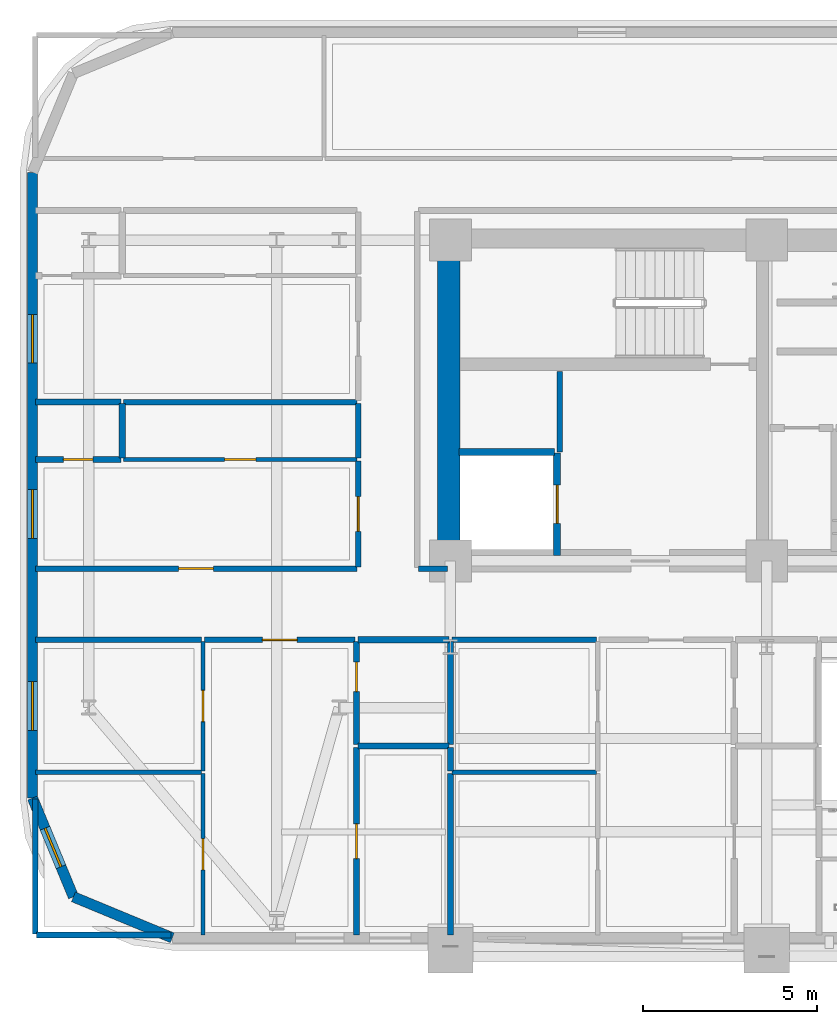
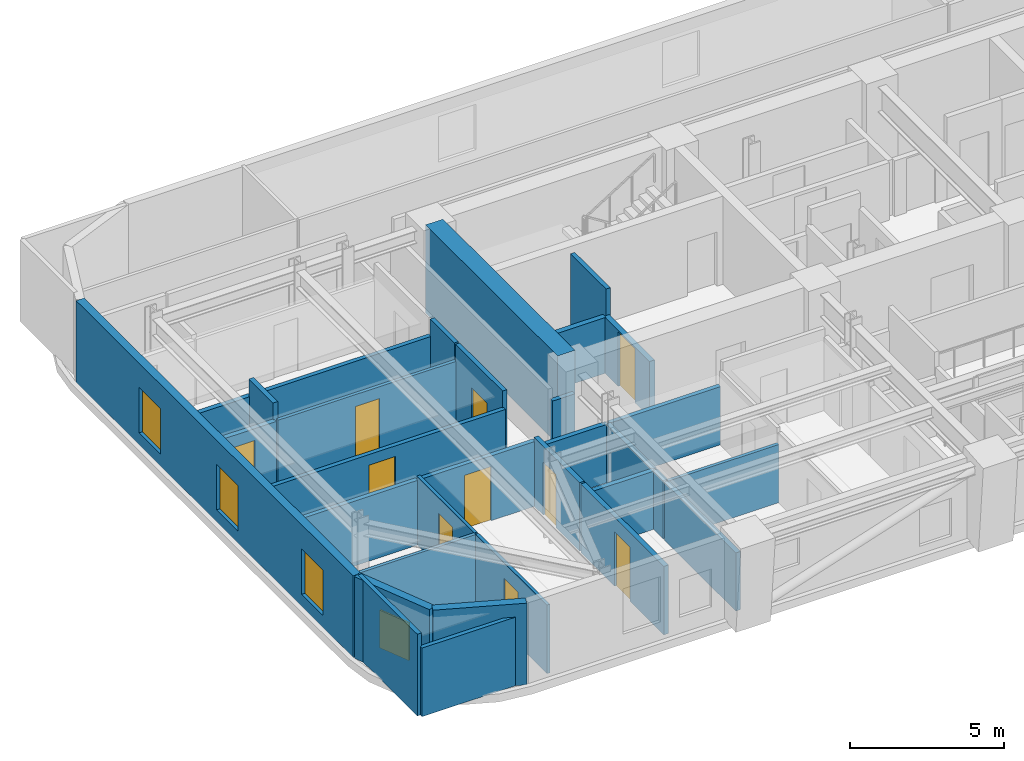
# One storey, part 8 of 16: 32 walls, 10 doors, 4 windows, 14 openings.
"""IFC4 building model written with IfcOpenShell, lengths in metres."""

from ifc_helpers import new_model, si_unit, direction, frame, frame_2d, origin, place, context, subcontext, project, spatial, rectangle, extrude, material, layer, layer_set, type_object, element, fill, save


model = new_model("IFC4")

# Units and contexts
model_context = context("Model", 3, precision=1e-05, world=origin(), true_north=direction((0.0, 1.0)))
body_context = subcontext(model_context, "Body", "Model", "MODEL_VIEW")
ifc_project = project(units=[si_unit("LENGTHUNIT", "METRE"), si_unit("AREAUNIT", "SQUARE_METRE"), si_unit("VOLUMEUNIT", "CUBIC_METRE"), si_unit("PLANEANGLEUNIT", "RADIAN"), si_unit("MASSUNIT", "GRAM", prefix="KILO")], contexts=[model_context])

# Site, building, storey
site_placement = place(None, origin())
site = spatial("IfcSite", under=ifc_project, at=site_placement, CompositionType="ELEMENT")
building_placement = place(site_placement, origin())
building = spatial("IfcBuilding", under=site, at=building_placement, Name="Zarnavel Station Tower", CompositionType="ELEMENT")
storey_placement = place(building_placement, frame((0.0, 0.0, 104.800048828125)))
storey = spatial("IfcBuildingStorey", under=building, at=storey_placement, Name="L28", CompositionType="ELEMENT", Elevation=104.800048828125)

# Wall
ifc_material_1 = material(Name="Concrete C60/75", Category="concrete")
ifc_layer_1 = layer(ifc_material_1, 0.64990234375)
ifc_layer_set_1 = layer_set([ifc_layer_1], Name="CW_650")
wall_type_1 = type_object("IfcWallType", Name="CW_650", PredefinedType="SHEAR", material=ifc_layer_set_1)
wall_1_placement = place(storey_placement, frame((12.14990234375, 28.14501953125, 0.0), z_axis=(0.0, 0.0, 1.0), x_axis=(0.0, 1.0, 0.0)))
element("IfcWall", 1, at=wall_1_placement, inside=storey, type_object=wall_type_1, Name="L28 Rear Core Shear Wall W", PredefinedType="SHEAR", context=body_context, shape_type="SweptSolid", body=[
    extrude(rectangle(XDim=8.580078125, YDim=0.64990234375, at=frame_2d((4.2900390625, 0.0))), origin(), (0.0, 0.0, 1.0), 3.5),
])

# Wall, openings, windows
ifc_material_2 = material(Name="Precast concrete C45/55 (Dark Basalt Finish)", Category="masonry")
ifc_layer_2 = layer(ifc_material_2, 0.300048828125)
ifc_layer_set_2 = layer_set([ifc_layer_2], Name="EW_BASALT_300")
wall_type_2 = type_object("IfcWallType", Name="EW_BASALT_300", PredefinedType="SOLIDWALL", material=ifc_layer_set_2)
wall_2_placement = place(storey_placement, frame((0.179931640625, 21.0, 0.0), z_axis=(0.0, 0.0, 1.0), x_axis=(0.0, 1.0, 0.0)))
wall_2 = element("IfcWall", 2, at=wall_2_placement, inside=storey, type_object=wall_type_2, Name="L28 Exterior Basalt Masonry Frame Wall 09", PredefinedType="SOLIDWALL", context=body_context, shape_type="SweptSolid", body=[
    extrude(rectangle(XDim=18.0, YDim=0.300048828125, at=frame_2d((9.0, 0.0))), origin(), (0.0, 0.0, 1.0), 3.239990234375),
])
opening_1_placement = place(wall_2_placement, frame((7.470458984375, 0.0, 0.47998046875)))
opening_1 = element("IfcOpeningElement", 3, at=opening_1_placement, cuts=wall_2, Name="Opening WN01", PredefinedType="OPENING", context=body_context, shape_type="SweptSolid", body=[
    extrude(rectangle(XDim=1.39990234375, YDim=1.800048828125, at=frame_2d((0.699951171875, 0.89990234375))), frame((0.0, 0.159912109375, 0.0), z_axis=(0.0, -1.0, 0.0), x_axis=(1.0, 0.0, 0.0)), (0.0, 0.0, 1.0), 0.320068359375),
])
opening_2_placement = place(wall_2_placement, frame((12.509033203125, 0.0, 0.47998046875)))
opening_2 = element("IfcOpeningElement", 4, at=opening_2_placement, cuts=wall_2, Name="Opening WN01", PredefinedType="OPENING", context=body_context, shape_type="SweptSolid", body=[
    extrude(rectangle(XDim=1.39990234375, YDim=1.800048828125, at=frame_2d((0.699951171875, 0.89990234375))), frame((0.0, 0.159912109375, 0.0), z_axis=(0.0, -1.0, 0.0), x_axis=(1.0, 0.0, 0.0)), (0.0, 0.0, 1.0), 0.320068359375),
])
opening_3_placement = place(wall_2_placement, frame((1.945556640625, 0.0, 0.47998046875)))
opening_3 = element("IfcOpeningElement", 5, at=opening_3_placement, cuts=wall_2, Name="Opening WN01", PredefinedType="OPENING", context=body_context, shape_type="SweptSolid", body=[
    extrude(rectangle(XDim=1.39990234375, YDim=1.800048828125, at=frame_2d((0.699951171875, 0.89990234375))), frame((0.0, 0.159912109375, 0.0), z_axis=(0.0, -1.0, 0.0), x_axis=(1.0, 0.0, 0.0)), (0.0, 0.0, 1.0), 0.320068359375),
])
ifc_material_3 = material(Name="Thermally Broken Black Aluminium and Low-E Dark Glass", Category="aluminium")
window_type_1 = type_object("IfcWindowType", Name="WN_1400x1800", PartitioningType="DOUBLE_PANEL_VERTICAL", PredefinedType="WINDOW", material=ifc_material_3)
window_1_placement = place(opening_1_placement, origin())
window_1 = element("IfcWindow", 6, at=window_1_placement, inside=storey, type_object=window_type_1, Name="L28 Recessed Facade Window 01", OverallHeight=1.800048828125, OverallWidth=1.39990234375, PartitioningType="SINGLE_PANEL", PredefinedType="WINDOW", context=body_context, shape_type="SweptSolid", body=[
    extrude(rectangle(XDim=1.39990234375, YDim=1.800048828125, at=frame_2d((0.699951171875, 0.89990234375))), frame((0.0, 0.030029296875, 0.0), z_axis=(0.0, -1.0, 0.0), x_axis=(1.0, 0.0, 0.0)), (0.0, 0.0, 1.0), 0.06005859375),
])
fill(opening_1, window_1)
window_2_placement = place(opening_2_placement, origin())
window_2 = element("IfcWindow", 7, at=window_2_placement, inside=storey, type_object=window_type_1, Name="L28 Recessed Facade Window 02", OverallHeight=1.800048828125, OverallWidth=1.39990234375, PartitioningType="SINGLE_PANEL", PredefinedType="WINDOW", context=body_context, shape_type="SweptSolid", body=[
    extrude(rectangle(XDim=1.39990234375, YDim=1.800048828125, at=frame_2d((0.699951171875, 0.89990234375))), frame((0.0, 0.030029296875, 0.0), z_axis=(0.0, -1.0, 0.0), x_axis=(1.0, 0.0, 0.0)), (0.0, 0.0, 1.0), 0.06005859375),
])
fill(opening_2, window_2)
window_3_placement = place(opening_3_placement, origin())
window_3 = element("IfcWindow", 8, at=window_3_placement, inside=storey, type_object=window_type_1, Name="L28 Recessed Facade Window 03", OverallHeight=1.800048828125, OverallWidth=1.39990234375, PartitioningType="SINGLE_PANEL", PredefinedType="WINDOW", context=body_context, shape_type="SweptSolid", body=[
    extrude(rectangle(XDim=1.39990234375, YDim=1.800048828125, at=frame_2d((0.699951171875, 0.89990234375))), frame((0.0, 0.030029296875, 0.0), z_axis=(0.0, -1.0, 0.0), x_axis=(1.0, 0.0, 0.0)), (0.0, 0.0, 1.0), 0.06005859375),
])
fill(opening_3, window_3)

# Wall, opening, window
wall_3_placement = place(storey_placement, frame((1.357421875, 18.157470703125, 0.0), z_axis=(0.0, 0.0, 1.0), x_axis=(-0.382704529509, 0.923870793506, 0.0)))
wall_3 = element("IfcWall", 9, at=wall_3_placement, inside=storey, type_object=wall_type_2, Name="L28 Exterior Basalt Masonry Frame Wall 10", PredefinedType="SOLIDWALL", context=body_context, shape_type="SweptSolid", body=[
    extrude(rectangle(XDim=3.07666015625, YDim=0.300048828125, at=frame_2d((1.538330078125, 0.0))), origin(), (0.0, 0.0, 1.0), 3.239990234375),
])
opening_4_placement = place(wall_3_placement, frame((0.9384765625, 0.0, 0.75)))
opening_4 = element("IfcOpeningElement", 10, at=opening_4_placement, cuts=wall_3, Name="Opening WN08", PredefinedType="OPENING", context=body_context, shape_type="SweptSolid", body=[
    extrude(rectangle(XDim=1.199951171875, YDim=1.5, at=frame_2d((0.60009765625, 0.75))), frame((0.0, 0.159912109375, 0.0), z_axis=(0.0, -1.0, 0.0), x_axis=(1.0, 0.0, 0.0)), (0.0, 0.0, 1.0), 0.320068359375),
])
ifc_material_4 = material(Name="Thermally Broken Black Aluminium and Low-E Dark Glass", Category="aluminium")
window_type_2 = type_object("IfcWindowType", Name="WN_1200x1500", PartitioningType="SINGLE_PANEL", PredefinedType="WINDOW", material=ifc_material_4)
window_4_placement = place(opening_4_placement, origin())
window_4 = element("IfcWindow", 11, at=window_4_placement, inside=storey, type_object=window_type_2, Name="L28 Recessed Facade Window 01", OverallHeight=1.5, OverallWidth=1.199951171875, PartitioningType="SINGLE_PANEL", PredefinedType="WINDOW", context=body_context, shape_type="SweptSolid", body=[
    extrude(rectangle(XDim=1.199951171875, YDim=1.5, at=frame_2d((0.60009765625, 0.75))), frame((0.0, 0.030029296875, 0.0), z_axis=(0.0, -1.0, 0.0), x_axis=(1.0, 0.0, 0.0)), (0.0, 0.0, 1.0), 0.06005859375),
])
fill(opening_4, window_4)

# Wall
wall_4_placement = place(storey_placement, frame((4.199951171875, 16.97998046875, 0.0), z_axis=(0.0, 0.0, 1.0), x_axis=(-0.923870793506, 0.382704529509, 0.0)))
element("IfcWall", 12, at=wall_4_placement, inside=storey, type_object=wall_type_2, Name="L28 Exterior Basalt Masonry Frame Wall 11", PredefinedType="SOLIDWALL", context=body_context, shape_type="SweptSolid", body=[
    extrude(rectangle(XDim=3.07666015625, YDim=0.300048828125, at=frame_2d((1.538330078125, 0.0))), origin(), (0.0, 0.0, 1.0), 3.239990234375),
])

# Wall, opening, door
ifc_material_5 = material(Name="Gypsum Twin-Stud Acoustic Fire Partition", Category="concrete")
ifc_layer_3 = layer(ifc_material_5, 0.159912109375)
ifc_layer_set_3 = layer_set([ifc_layer_3], Name="PT_DEMISE_160")
wall_type_3 = type_object("IfcWallType", Name="PT_DEMISE_160", PredefinedType="PARTITIONING", material=ifc_layer_set_3)
wall_5_placement = place(storey_placement, frame((0.260009765625, 27.60009765625, 0.0), z_axis=(0.0, 0.0, 1.0), x_axis=(1.0, 0.0, 0.0)))
wall_5 = element("IfcWall", 13, at=wall_5_placement, inside=storey, type_object=wall_type_3, Name="L28 Partition COR-S-FNW1R", PredefinedType="PARTITIONING", context=body_context, shape_type="SweptSolid", body=[
    extrude(rectangle(XDim=9.25, YDim=0.159912109375, at=frame_2d((4.625, 0.0))), origin(), (0.0, 0.0, 1.0), 2.570068359375),
])
opening_5_placement = place(wall_5_placement, frame((4.125, 0.0, 0.0)))
opening_5 = element("IfcOpeningElement", 14, at=opening_5_placement, cuts=wall_5, Name="Opening FD02", PredefinedType="OPENING", context=body_context, shape_type="SweptSolid", body=[
    extrude(rectangle(XDim=1.0, YDim=2.14990234375, at=frame_2d((0.5, 1.074951171875))), frame((0.0, 0.08984375, 0.0), z_axis=(0.0, -1.0, 0.0), x_axis=(1.0, 0.0, 0.0)), (0.0, 0.0, 1.0), 0.179931640625),
])
ifc_material_6 = material(Name="Painted Galvanised Steel and Hardwood Leaf", Category="steel")
door_type_1 = type_object("IfcDoorType", Name="ID_ENTRY_1000", OperationType="NOTDEFINED", PredefinedType="DOOR", material=ifc_material_6)
door_1_placement = place(opening_5_placement, origin())
door_1 = element("IfcDoor", 15, at=door_1_placement, inside=storey, type_object=door_type_1, Name="L28 Door COR-S-FNW1R", OperationType="SINGLE_SWING_LEFT", OverallHeight=2.14990234375, OverallWidth=1.0, PredefinedType="DOOR", context=body_context, shape_type="SweptSolid", body=[
    extrude(rectangle(XDim=1.0, YDim=2.14990234375, at=frame_2d((0.5, 1.074951171875))), frame((0.0, 0.02490234375, 0.0), z_axis=(0.0, -1.0, 0.0), x_axis=(1.0, 0.0, 0.0)), (0.0, 0.0, 1.0), 0.050048828125),
])
fill(opening_5, door_1)

wall_6_placement = place(storey_placement, frame((5.1220703125, 25.550048828125, 0.0), z_axis=(0.0, 0.0, 1.0), x_axis=(1.0, 0.0, 0.0)))
wall_6 = element("IfcWall", 16, at=wall_6_placement, inside=storey, type_object=wall_type_3, Name="L28 Partition COR-S-UW1ALV", PredefinedType="PARTITIONING", context=body_context, shape_type="SweptSolid", body=[
    extrude(rectangle(XDim=4.337890625, YDim=0.159912109375, at=frame_2d((2.1689453125, 0.0))), origin(), (0.0, 0.0, 1.0), 2.570068359375),
])
opening_6_placement = place(wall_6_placement, frame((1.6689453125, 0.0, 0.0)))
opening_6 = element("IfcOpeningElement", 17, at=opening_6_placement, cuts=wall_6, Name="Opening FD02", PredefinedType="OPENING", context=body_context, shape_type="SweptSolid", body=[
    extrude(rectangle(XDim=1.0, YDim=2.14990234375, at=frame_2d((0.5, 1.074951171875))), frame((0.0, 0.08984375, 0.0), z_axis=(0.0, -1.0, 0.0), x_axis=(1.0, 0.0, 0.0)), (0.0, 0.0, 1.0), 0.179931640625),
])
door_2_placement = place(opening_6_placement, origin())
door_2 = element("IfcDoor", 18, at=door_2_placement, inside=storey, type_object=door_type_1, Name="L28 Door COR-S-UW1ALV", OperationType="SINGLE_SWING_LEFT", OverallHeight=2.14990234375, OverallWidth=1.0, PredefinedType="DOOR", context=body_context, shape_type="SweptSolid", body=[
    extrude(rectangle(XDim=1.0, YDim=2.14990234375, at=frame_2d((0.5, 1.074951171875))), frame((0.0, 0.02490234375, 0.0), z_axis=(0.0, -1.0, 0.0), x_axis=(1.0, 0.0, 0.0)), (0.0, 0.0, 1.0), 0.050048828125),
])
fill(opening_6, door_2)

# Walls
wall_7_placement = place(storey_placement, frame((0.260009765625, 25.550048828125, 0.0), z_axis=(0.0, 0.0, 1.0), x_axis=(1.0, 0.0, 0.0)))
element("IfcWall", 19, at=wall_7_placement, inside=storey, type_object=wall_type_3, Name="L28 Partition COR-S-UW1AB2", PredefinedType="PARTITIONING", context=body_context, shape_type="SweptSolid", body=[
    extrude(rectangle(XDim=4.781982421875, YDim=0.159912109375, at=frame_2d((2.39111328125, 0.0))), origin(), (0.0, 0.0, 1.0), 2.570068359375),
])
wall_8_placement = place(storey_placement, frame((12.239990234375, 25.550048828125, 0.0), z_axis=(0.0, 0.0, 1.0), x_axis=(1.0, 0.0, 0.0)))
element("IfcWall", 20, at=wall_8_placement, inside=storey, type_object=wall_type_3, Name="L28 Partition COR-S-UW1BB2", PredefinedType="PARTITIONING", context=body_context, shape_type="SweptSolid", body=[
    extrude(rectangle(XDim=4.159912109375, YDim=0.159912109375, at=frame_2d((2.080078125, 0.0))), origin(), (0.0, 0.0, 1.0), 2.31005859375),
])

# Wall, opening, door
wall_9_placement = place(storey_placement, frame((9.550048828125, 27.639892578125, 0.0), z_axis=(0.0, 0.0, 1.0), x_axis=(0.0, 1.0, 0.0)))
wall_9 = element("IfcWall", 21, at=wall_9_placement, inside=storey, type_object=wall_type_3, Name="L28 Partition COR-W-FNW1R", PredefinedType="PARTITIONING", context=body_context, shape_type="SweptSolid", body=[
    extrude(rectangle(XDim=3.06103515625, YDim=0.159912109375, at=frame_2d((1.530517578125, 0.0))), origin(), (0.0, 0.0, 1.0), 3.239990234375),
])
opening_7_placement = place(wall_9_placement, frame((1.030517578125, 0.0, 0.0)))
opening_7 = element("IfcOpeningElement", 22, at=opening_7_placement, cuts=wall_9, Name="Opening FD02", PredefinedType="OPENING", context=body_context, shape_type="SweptSolid", body=[
    extrude(rectangle(XDim=1.0, YDim=2.14990234375, at=frame_2d((0.5, 1.074951171875))), frame((0.0, 0.08984375, 0.0), z_axis=(0.0, -1.0, 0.0), x_axis=(1.0, 0.0, 0.0)), (0.0, 0.0, 1.0), 0.179931640625),
])
door_3_placement = place(opening_7_placement, origin())
door_3 = element("IfcDoor", 23, at=door_3_placement, inside=storey, type_object=door_type_1, Name="L28 Door COR-W-FNW1R", OperationType="SINGLE_SWING_LEFT", OverallHeight=2.14990234375, OverallWidth=1.0, PredefinedType="DOOR", context=body_context, shape_type="SweptSolid", body=[
    extrude(rectangle(XDim=1.0, YDim=2.14990234375, at=frame_2d((0.5, 1.074951171875))), frame((0.0, 0.02490234375, 0.0), z_axis=(0.0, -1.0, 0.0), x_axis=(1.0, 0.0, 0.0)), (0.0, 0.0, 1.0), 0.050048828125),
])
fill(opening_7, door_3)

# Walls
wall_10_placement = place(storey_placement, frame((9.550048828125, 30.781005859375, 0.0), z_axis=(0.0, 0.0, 1.0), x_axis=(0.0, 1.0, 0.0)))
element("IfcWall", 24, at=wall_10_placement, inside=storey, type_object=wall_type_3, Name="L28 Partition COR-W-FNW1S", PredefinedType="PARTITIONING", context=body_context, shape_type="SweptSolid", body=[
    extrude(rectangle(XDim=1.570068359375, YDim=0.159912109375, at=frame_2d((0.78515625, 0.0))), origin(), (0.0, 0.0, 1.0), 3.239990234375),
])
wall_11_placement = place(storey_placement, frame((2.800048828125, 32.39111328125, 0.0), z_axis=(0.0, 0.0, 1.0), x_axis=(1.0, 0.0, 0.0)))
element("IfcWall", 25, at=wall_11_placement, inside=storey, type_object=wall_type_3, Name="L28 Partition FNW1S-FNW2R", PredefinedType="PARTITIONING", context=body_context, shape_type="SweptSolid", body=[
    extrude(rectangle(XDim=6.7099609375, YDim=0.159912109375, at=frame_2d((3.35498046875, 0.0))), origin(), (0.0, 0.0, 1.0), 2.570068359375),
])
wall_12_placement = place(storey_placement, frame((15.35009765625, 30.9599609375, 0.0), z_axis=(0.0, 0.0, 1.0), x_axis=(0.0, 1.0, 0.0)))
element("IfcWall", 26, at=wall_12_placement, inside=storey, type_object=wall_type_3, Name="L28 Enclosure Wall FFL1", PredefinedType="PARTITIONING", context=body_context, shape_type="SweptSolid", body=[
    extrude(rectangle(XDim=2.31005859375, YDim=0.159912109375, at=frame_2d((1.155029296875, 0.0))), origin(), (0.0, 0.0, 1.0), 3.239990234375),
])
wall_13_placement = place(storey_placement, frame((11.280029296875, 27.60009765625, 0.0), z_axis=(0.0, 0.0, 1.0), x_axis=(1.0, 0.0, 0.0)))
element("IfcWall", 27, at=wall_13_placement, inside=storey, type_object=wall_type_3, Name="L28 Enclosure Wall COR-S", PredefinedType="PARTITIONING", context=body_context, shape_type="SweptSolid", body=[
    extrude(rectangle(XDim=0.840087890625, YDim=0.159912109375, at=frame_2d((0.419921875, 0.0))), origin(), (0.0, 0.0, 1.0), 2.280029296875),
])
wall_14_placement = place(storey_placement, frame((0.2900390625, 17.06005859375, 0.0), z_axis=(0.0, 0.0, 1.0), x_axis=(1.0, 0.0, 0.0)))
element("IfcWall", 28, at=wall_14_placement, inside=storey, type_object=wall_type_3, Name="L28 Enclosure Wall UW1AB1", PredefinedType="PARTITIONING", context=body_context, shape_type="SweptSolid", body=[
    extrude(rectangle(XDim=3.8798828125, YDim=0.159912109375, at=frame_2d((1.93994140625, 0.0))), origin(), (0.0, 0.0, 1.0), 2.719970703125),
])
wall_15_placement = place(storey_placement, frame((0.260009765625, 17.090087890625, 0.0), z_axis=(0.0, 0.0, 1.0), x_axis=(0.0, 1.0, 0.0)))
element("IfcWall", 29, at=wall_15_placement, inside=storey, type_object=wall_type_3, Name="L28 Enclosure Wall UW1AB1", PredefinedType="PARTITIONING", context=body_context, shape_type="SweptSolid", body=[
    extrude(rectangle(XDim=3.8798828125, YDim=0.159912109375, at=frame_2d((1.93994140625, 0.0))), origin(), (0.0, 0.0, 1.0), 3.239990234375),
])

# Wall, opening, door
ifc_material_7 = material(Name="Gypsum Metal-Stud Interior Partition", Category="concrete")
ifc_layer_4 = layer(ifc_material_7, 0.1201171875)
ifc_layer_set_4 = layer_set([ifc_layer_4], Name="PT_ROOM_120")
wall_type_4 = type_object("IfcWallType", Name="PT_ROOM_120", PredefinedType="PARTITIONING", material=ifc_layer_set_4)
wall_16_placement = place(storey_placement, frame((2.800048828125, 30.740966796875, 0.0), z_axis=(0.0, 0.0, 1.0), x_axis=(1.0, 0.0, 0.0)))
wall_16 = element("IfcWall", 30, at=wall_16_placement, inside=storey, type_object=wall_type_4, Name="L28 Partition FNW1R-FNW1S", PredefinedType="PARTITIONING", context=body_context, shape_type="SweptSolid", body=[
    extrude(rectangle(XDim=6.7099609375, YDim=0.1201171875, at=frame_2d((3.35498046875, 0.0))), origin(), (0.0, 0.0, 1.0), 2.570068359375),
])
opening_8_placement = place(wall_16_placement, frame((2.905029296875, 0.0, 0.0)))
opening_8 = element("IfcOpeningElement", 31, at=opening_8_placement, cuts=wall_16, Name="Opening ID01", PredefinedType="OPENING", context=body_context, shape_type="SweptSolid", body=[
    extrude(rectangle(XDim=0.89990234375, YDim=2.10009765625, at=frame_2d((0.449951171875, 1.050048828125))), frame((0.0, 0.070068359375, 0.0), z_axis=(0.0, -1.0, 0.0), x_axis=(1.0, 0.0, 0.0)), (0.0, 0.0, 1.0), 0.14013671875),
])
ifc_material_8 = material(Name="Painted Galvanised Steel and Hardwood Leaf", Category="steel")
door_type_2 = type_object("IfcDoorType", Name="ID_ROOM_900", OperationType="NOTDEFINED", PredefinedType="DOOR", material=ifc_material_8)
door_4_placement = place(opening_8_placement, origin())
door_4 = element("IfcDoor", 32, at=door_4_placement, inside=storey, type_object=door_type_2, Name="L28 Door FNW1R-FNW1S", OperationType="SINGLE_SWING_RIGHT", OverallHeight=2.10009765625, OverallWidth=0.89990234375, PredefinedType="DOOR", context=body_context, shape_type="SweptSolid", body=[
    extrude(rectangle(XDim=0.89990234375, YDim=2.10009765625, at=frame_2d((0.449951171875, 1.050048828125))), frame((0.0, 0.02490234375, 0.0), z_axis=(0.0, -1.0, 0.0), x_axis=(1.0, 0.0, 0.0)), (0.0, 0.0, 1.0), 0.050048828125),
])
fill(opening_8, door_4)

wall_17_placement = place(storey_placement, frame((5.08203125, 17.06005859375, 0.0), z_axis=(0.0, 0.0, 1.0), x_axis=(0.0, 1.0, 0.0)))
wall_17 = element("IfcWall", 33, at=wall_17_placement, inside=storey, type_object=wall_type_4, Name="L28 Partition UW1ALV-UW1AB1", PredefinedType="PARTITIONING", context=body_context, shape_type="SweptSolid", body=[
    extrude(rectangle(XDim=4.640869140625, YDim=0.1201171875, at=frame_2d((2.3203125, 0.0))), origin(), (0.0, 0.0, 1.0), 2.719970703125),
])
opening_9_placement = place(wall_17_placement, frame((1.87060546875, 0.0, 0.0)))
opening_9 = element("IfcOpeningElement", 34, at=opening_9_placement, cuts=wall_17, Name="Opening ID01", PredefinedType="OPENING", context=body_context, shape_type="SweptSolid", body=[
    extrude(rectangle(XDim=0.89990234375, YDim=2.10009765625, at=frame_2d((0.449951171875, 1.050048828125))), frame((0.0, 0.070068359375, 0.0), z_axis=(0.0, -1.0, 0.0), x_axis=(1.0, 0.0, 0.0)), (0.0, 0.0, 1.0), 0.14013671875),
])
door_5_placement = place(opening_9_placement, origin())
door_5 = element("IfcDoor", 35, at=door_5_placement, inside=storey, type_object=door_type_2, Name="L28 Door UW1ALV-UW1AB1", OperationType="SINGLE_SWING_RIGHT", OverallHeight=2.10009765625, OverallWidth=0.89990234375, PredefinedType="DOOR", context=body_context, shape_type="SweptSolid", body=[
    extrude(rectangle(XDim=0.89990234375, YDim=2.10009765625, at=frame_2d((0.449951171875, 1.050048828125))), frame((0.0, 0.02490234375, 0.0), z_axis=(0.0, -1.0, 0.0), x_axis=(1.0, 0.0, 0.0)), (0.0, 0.0, 1.0), 0.050048828125),
])
fill(opening_9, door_5)

wall_18_placement = place(storey_placement, frame((5.08203125, 21.781005859375, 0.0), z_axis=(0.0, 0.0, 1.0), x_axis=(0.0, 1.0, 0.0)))
wall_18 = element("IfcWall", 36, at=wall_18_placement, inside=storey, type_object=wall_type_4, Name="L28 Partition UW1ALV-UW1AB2", PredefinedType="PARTITIONING", context=body_context, shape_type="SweptSolid", body=[
    extrude(rectangle(XDim=3.72900390625, YDim=0.1201171875, at=frame_2d((1.864501953125, 0.0))), origin(), (0.0, 0.0, 1.0), 2.719970703125),
])
opening_10_placement = place(wall_18_placement, frame((1.41455078125, 0.0, 0.0)))
opening_10 = element("IfcOpeningElement", 37, at=opening_10_placement, cuts=wall_18, Name="Opening ID01", PredefinedType="OPENING", context=body_context, shape_type="SweptSolid", body=[
    extrude(rectangle(XDim=0.89990234375, YDim=2.10009765625, at=frame_2d((0.449951171875, 1.050048828125))), frame((0.0, 0.070068359375, 0.0), z_axis=(0.0, -1.0, 0.0), x_axis=(1.0, 0.0, 0.0)), (0.0, 0.0, 1.0), 0.14013671875),
])
door_6_placement = place(opening_10_placement, origin())
door_6 = element("IfcDoor", 38, at=door_6_placement, inside=storey, type_object=door_type_2, Name="L28 Door UW1ALV-UW1AB2", OperationType="SINGLE_SWING_LEFT", OverallHeight=2.10009765625, OverallWidth=0.89990234375, PredefinedType="DOOR", context=body_context, shape_type="SweptSolid", body=[
    extrude(rectangle(XDim=0.89990234375, YDim=2.10009765625, at=frame_2d((0.449951171875, 1.050048828125))), frame((0.0, 0.02490234375, 0.0), z_axis=(0.0, -1.0, 0.0), x_axis=(1.0, 0.0, 0.0)), (0.0, 0.0, 1.0), 0.050048828125),
])
fill(opening_10, door_6)

# Walls
wall_19_placement = place(storey_placement, frame((0.260009765625, 21.740966796875, 0.0), z_axis=(0.0, 0.0, 1.0), x_axis=(1.0, 0.0, 0.0)))
element("IfcWall", 39, at=wall_19_placement, inside=storey, type_object=wall_type_4, Name="L28 Partition UW1AB1-UW1AB2", PredefinedType="PARTITIONING", context=body_context, shape_type="SweptSolid", body=[
    extrude(rectangle(XDim=4.781982421875, YDim=0.1201171875, at=frame_2d((2.39111328125, 0.0))), origin(), (0.0, 0.0, 1.0), 2.719970703125),
])
wall_20_placement = place(storey_placement, frame((12.239990234375, 21.740966796875, 0.0), z_axis=(0.0, 0.0, 1.0), x_axis=(1.0, 0.0, 0.0)))
element("IfcWall", 40, at=wall_20_placement, inside=storey, type_object=wall_type_4, Name="L28 Partition UW1BB1-UW1BB2", PredefinedType="PARTITIONING", context=body_context, shape_type="SweptSolid", body=[
    extrude(rectangle(XDim=4.159912109375, YDim=0.1201171875, at=frame_2d((2.080078125, 0.0))), origin(), (0.0, 0.0, 1.0), 2.31005859375),
])

# Wall, opening, door
ifc_material_9 = material(Name="Precast concrete C45/55 (Fire Shaft Blockwork)", Category="masonry")
ifc_layer_5 = layer(ifc_material_9, 0.199951171875)
ifc_layer_set_5 = layer_set([ifc_layer_5], Name="PT_SHAFT_200")
wall_type_5 = type_object("IfcWallType", Name="PT_SHAFT_200", PredefinedType="PARTITIONING", material=ifc_layer_set_5)
wall_21_placement = place(storey_placement, frame((15.27001953125, 27.969970703125, 0.0), z_axis=(0.0, 0.0, 1.0), x_axis=(0.0, 1.0, 0.0)))
wall_21 = element("IfcWall", 41, at=wall_21_placement, inside=storey, type_object=wall_type_5, Name="L28 Lift FFL-01 Shaft Front Wall", PredefinedType="PARTITIONING", context=body_context, shape_type="SweptSolid", body=[
    extrude(rectangle(XDim=2.9599609375, YDim=0.199951171875, at=frame_2d((1.47998046875, 0.0))), origin(), (0.0, 0.0, 1.0), 2.2119140625),
])
opening_11_placement = place(wall_21_placement, frame((0.929931640625, 0.0, 0.0)))
opening_11 = element("IfcOpeningElement", 42, at=opening_11_placement, cuts=wall_21, Name="Opening LD01", PredefinedType="OPENING", context=body_context, shape_type="SweptSolid", body=[
    extrude(rectangle(XDim=1.10009765625, YDim=2.14990234375, at=frame_2d((0.550048828125, 1.074951171875))), frame((0.0, 0.10986328125, 0.0), z_axis=(0.0, -1.0, 0.0), x_axis=(1.0, 0.0, 0.0)), (0.0, 0.0, 1.0), 0.219970703125),
])
ifc_material_10 = material(Name="Painted Galvanised Steel and Hardwood Leaf", Category="steel")
door_type_3 = type_object("IfcDoorType", Name="LD_FF_1100", OperationType="DOUBLE_DOOR_SLIDING", PredefinedType="DOOR", material=ifc_material_10)
door_7_placement = place(opening_11_placement, origin())
door_7 = element("IfcDoor", 43, at=door_7_placement, inside=storey, type_object=door_type_3, Name="L28 Lift FFL-01 Sliding Landing Door", OperationType="DOUBLE_DOOR_SLIDING", OverallHeight=2.14990234375, OverallWidth=1.10009765625, PredefinedType="DOOR", context=body_context, shape_type="SweptSolid", body=[
    extrude(rectangle(XDim=1.10009765625, YDim=2.14990234375, at=frame_2d((0.550048828125, 1.074951171875))), frame((0.0, 0.02490234375, 0.0), z_axis=(0.0, -1.0, 0.0), x_axis=(1.0, 0.0, 0.0)), (0.0, 0.0, 1.0), 0.050048828125),
])
fill(opening_11, door_7)

# Walls
wall_22_placement = place(storey_placement, frame((12.449951171875, 30.949951171875, 0.0), z_axis=(0.0, 0.0, 1.0), x_axis=(1.0, 0.0, 0.0)))
element("IfcWall", 44, at=wall_22_placement, inside=storey, type_object=wall_type_5, Name="L28 Lift FFL-01 North Shaft Wall", PredefinedType="PARTITIONING", context=body_context, shape_type="SweptSolid", body=[
    extrude(rectangle(XDim=2.75, YDim=0.199951171875, at=frame_2d((1.375, 0.0))), origin(), (0.0, 0.0, 1.0), 2.2119140625),
])
ifc_material_11 = material(Name="Moisture-Resistant Plumbing Chase Wall", Category="concrete")
ifc_layer_6 = layer(ifc_material_11, 0.179931640625)
ifc_layer_set_6 = layer_set([ifc_layer_6], Name="PW_PLUMB_180")
wall_type_6 = type_object("IfcWallType", Name="PW_PLUMB_180", PredefinedType="PLUMBINGWALL", material=ifc_layer_set_6)
wall_23_placement = place(storey_placement, frame((9.5400390625, 25.550048828125, 0.0), z_axis=(0.0, 0.0, 1.0), x_axis=(1.0, 0.0, 0.0)))
element("IfcWall", 45, at=wall_23_placement, inside=storey, type_object=wall_type_6, Name="L28 Partition COR-S-UW1ABA", PredefinedType="PLUMBINGWALL", context=body_context, shape_type="SweptSolid", body=[
    extrude(rectangle(XDim=2.619873046875, YDim=0.179931640625, at=frame_2d((1.31005859375, 0.0))), origin(), (0.0, 0.0, 1.0), 2.31005859375),
])

# Wall, opening, door
wall_24_placement = place(storey_placement, frame((0.260009765625, 30.740966796875, 0.0), z_axis=(0.0, 0.0, 1.0), x_axis=(1.0, 0.0, 0.0)))
wall_24 = element("IfcWall", 46, at=wall_24_placement, inside=storey, type_object=wall_type_6, Name="L28 Partition FNW1R-FNW1B", PredefinedType="PLUMBINGWALL", context=body_context, shape_type="SweptSolid", body=[
    extrude(rectangle(XDim=2.4599609375, YDim=0.179931640625, at=frame_2d((1.22998046875, 0.0))), origin(), (0.0, 0.0, 1.0), 2.570068359375),
])
opening_12_placement = place(wall_24_placement, frame((0.804931640625, 0.0, 0.0)))
opening_12 = element("IfcOpeningElement", 47, at=opening_12_placement, cuts=wall_24, Name="Opening ID02", PredefinedType="OPENING", context=body_context, shape_type="SweptSolid", body=[
    extrude(rectangle(XDim=0.85009765625, YDim=2.10009765625, at=frame_2d((0.425048828125, 1.050048828125))), frame((0.0, 0.099853515625, 0.0), z_axis=(0.0, -1.0, 0.0), x_axis=(1.0, 0.0, 0.0)), (0.0, 0.0, 1.0), 0.199951171875),
])
ifc_material_12 = material(Name="Painted Galvanised Steel and Hardwood Leaf", Category="steel")
door_type_4 = type_object("IfcDoorType", Name="ID_BATH_850", OperationType="NOTDEFINED", PredefinedType="DOOR", material=ifc_material_12)
door_8_placement = place(opening_12_placement, origin())
door_8 = element("IfcDoor", 48, at=door_8_placement, inside=storey, type_object=door_type_4, Name="L28 Door FNW1R-FNW1B", OperationType="SINGLE_SWING_LEFT", OverallHeight=2.10009765625, OverallWidth=0.85009765625, PredefinedType="DOOR", context=body_context, shape_type="SweptSolid", body=[
    extrude(rectangle(XDim=0.85009765625, YDim=2.10009765625, at=frame_2d((0.425048828125, 1.050048828125))), frame((0.0, 0.02490234375, 0.0), z_axis=(0.0, -1.0, 0.0), x_axis=(1.0, 0.0, 0.0)), (0.0, 0.0, 1.0), 0.050048828125),
])
fill(opening_12, door_8)

# Walls
wall_25_placement = place(storey_placement, frame((2.760009765625, 30.781005859375, 0.0), z_axis=(0.0, 0.0, 1.0), x_axis=(0.0, 1.0, 0.0)))
element("IfcWall", 49, at=wall_25_placement, inside=storey, type_object=wall_type_6, Name="L28 Partition FNW1B-FNW1S", PredefinedType="PLUMBINGWALL", context=body_context, shape_type="SweptSolid", body=[
    extrude(rectangle(XDim=1.570068359375, YDim=0.179931640625, at=frame_2d((0.78515625, 0.0))), origin(), (0.0, 0.0, 1.0), 3.239990234375),
])
wall_26_placement = place(storey_placement, frame((0.260009765625, 32.39111328125, 0.0), z_axis=(0.0, 0.0, 1.0), x_axis=(1.0, 0.0, 0.0)))
element("IfcWall", 50, at=wall_26_placement, inside=storey, type_object=wall_type_6, Name="L28 Partition FNW1B-FNW2R", PredefinedType="PLUMBINGWALL", context=body_context, shape_type="SweptSolid", body=[
    extrude(rectangle(XDim=2.4599609375, YDim=0.179931640625, at=frame_2d((1.22998046875, 0.0))), origin(), (0.0, 0.0, 1.0), 2.570068359375),
])

# Wall, opening, door
wall_27_placement = place(storey_placement, frame((9.5, 17.06005859375, 0.0), z_axis=(0.0, 0.0, 1.0), x_axis=(0.0, 1.0, 0.0)))
wall_27 = element("IfcWall", 51, at=wall_27_placement, inside=storey, type_object=wall_type_6, Name="L28 Partition UW1ALV-UW1AKT", PredefinedType="PLUMBINGWALL", context=body_context, shape_type="SweptSolid", body=[
    extrude(rectangle(XDim=5.39404296875, YDim=0.179931640625, at=frame_2d((2.697021484375, 0.0))), origin(), (0.0, 0.0, 1.0), 2.719970703125),
])
opening_13_placement = place(wall_27_placement, frame((2.197021484375, 0.0, 0.0)))
opening_13 = element("IfcOpeningElement", 52, at=opening_13_placement, cuts=wall_27, Name="Opening FD02", PredefinedType="OPENING", context=body_context, shape_type="SweptSolid", body=[
    extrude(rectangle(XDim=1.0, YDim=2.14990234375, at=frame_2d((0.5, 1.074951171875))), frame((0.0, 0.099853515625, 0.0), z_axis=(0.0, -1.0, 0.0), x_axis=(1.0, 0.0, 0.0)), (0.0, 0.0, 1.0), 0.199951171875),
])
door_9_placement = place(opening_13_placement, origin())
door_9 = element("IfcDoor", 53, at=door_9_placement, inside=storey, type_object=door_type_1, Name="L28 Door UW1ALV-UW1AKT", OperationType="SINGLE_SWING_RIGHT", OverallHeight=2.14990234375, OverallWidth=1.0, PredefinedType="DOOR", context=body_context, shape_type="SweptSolid", body=[
    extrude(rectangle(XDim=1.0, YDim=2.14990234375, at=frame_2d((0.5, 1.074951171875))), frame((0.0, 0.02490234375, 0.0), z_axis=(0.0, -1.0, 0.0), x_axis=(1.0, 0.0, 0.0)), (0.0, 0.0, 1.0), 0.050048828125),
])
fill(opening_13, door_9)

wall_28_placement = place(storey_placement, frame((9.5, 25.510009765625, 0.0), z_axis=(0.0, 0.0, 1.0), x_axis=(0.0, -1.0, 0.0)))
wall_28 = element("IfcWall", 54, at=wall_28_placement, inside=storey, type_object=wall_type_6, Name="L28 Partition UW1ALV-UW1ABA", PredefinedType="PLUMBINGWALL", context=body_context, shape_type="SweptSolid", body=[
    extrude(rectangle(XDim=2.97607421875, YDim=0.179931640625, at=frame_2d((1.488037109375, 0.0))), origin(), (0.0, 0.0, 1.0), 2.719970703125),
])
opening_14_placement = place(wall_28_placement, frame((0.6015625, 0.0, 0.0)))
opening_14 = element("IfcOpeningElement", 55, at=opening_14_placement, cuts=wall_28, Name="Opening ID02", PredefinedType="OPENING", context=body_context, shape_type="SweptSolid", body=[
    extrude(rectangle(XDim=0.85009765625, YDim=2.10009765625, at=frame_2d((0.425048828125, 1.050048828125))), frame((0.0, 0.099853515625, 0.0), z_axis=(0.0, -1.0, 0.0), x_axis=(1.0, 0.0, 0.0)), (0.0, 0.0, 1.0), 0.199951171875),
])
door_10_placement = place(opening_14_placement, origin())
door_10 = element("IfcDoor", 56, at=door_10_placement, inside=storey, type_object=door_type_4, Name="L28 Door UW1ALV-UW1ABA", OperationType="SINGLE_SWING_LEFT", OverallHeight=2.10009765625, OverallWidth=0.85009765625, PredefinedType="DOOR", context=body_context, shape_type="SweptSolid", body=[
    extrude(rectangle(XDim=0.85009765625, YDim=2.10009765625, at=frame_2d((0.425048828125, 1.050048828125))), frame((0.0, 0.02490234375, 0.0), z_axis=(0.0, -1.0, 0.0), x_axis=(1.0, 0.0, 0.0)), (0.0, 0.0, 1.0), 0.050048828125),
])
fill(opening_14, door_10)

# Walls
wall_29_placement = place(storey_placement, frame((9.5400390625, 22.493896484375, 0.0), z_axis=(0.0, 0.0, 1.0), x_axis=(1.0, 0.0, 0.0)))
element("IfcWall", 57, at=wall_29_placement, inside=storey, type_object=wall_type_6, Name="L28 Partition UW1AKT-UW1ABA", PredefinedType="PLUMBINGWALL", context=body_context, shape_type="SweptSolid", body=[
    extrude(rectangle(XDim=2.619873046875, YDim=0.179931640625, at=frame_2d((1.31005859375, 0.0))), origin(), (0.0, 0.0, 1.0), 2.31005859375),
])
wall_30_placement = place(storey_placement, frame((12.199951171875, 17.06005859375, 0.0), z_axis=(0.0, 0.0, 1.0), x_axis=(0.0, 1.0, 0.0)))
element("IfcWall", 58, at=wall_30_placement, inside=storey, type_object=wall_type_6, Name="L28 Partition UW1AKT-UW1BB1", PredefinedType="PLUMBINGWALL", context=body_context, shape_type="SweptSolid", body=[
    extrude(rectangle(XDim=4.640869140625, YDim=0.179931640625, at=frame_2d((2.3203125, 0.0))), origin(), (0.0, 0.0, 1.0), 2.31005859375),
])
wall_31_placement = place(storey_placement, frame((12.199951171875, 21.781005859375, 0.0), z_axis=(0.0, 0.0, 1.0), x_axis=(0.0, 1.0, 0.0)))
element("IfcWall", 59, at=wall_31_placement, inside=storey, type_object=wall_type_6, Name="L28 Partition UW1AKT-UW1BB2", PredefinedType="PLUMBINGWALL", context=body_context, shape_type="SweptSolid", body=[
    extrude(rectangle(XDim=0.673095703125, YDim=0.179931640625, at=frame_2d((0.33642578125, 0.0))), origin(), (0.0, 0.0, 1.0), 2.31005859375),
])
wall_32_placement = place(storey_placement, frame((12.199951171875, 22.533935546875, 0.0), z_axis=(0.0, 0.0, 1.0), x_axis=(0.0, 1.0, 0.0)))
element("IfcWall", 60, at=wall_32_placement, inside=storey, type_object=wall_type_6, Name="L28 Partition UW1ABA-UW1BB2", PredefinedType="PLUMBINGWALL", context=body_context, shape_type="SweptSolid", body=[
    extrude(rectangle(XDim=2.97607421875, YDim=0.179931640625, at=frame_2d((1.488037109375, 0.0))), origin(), (0.0, 0.0, 1.0), 2.31005859375),
])

save(model, "model.ifc")
